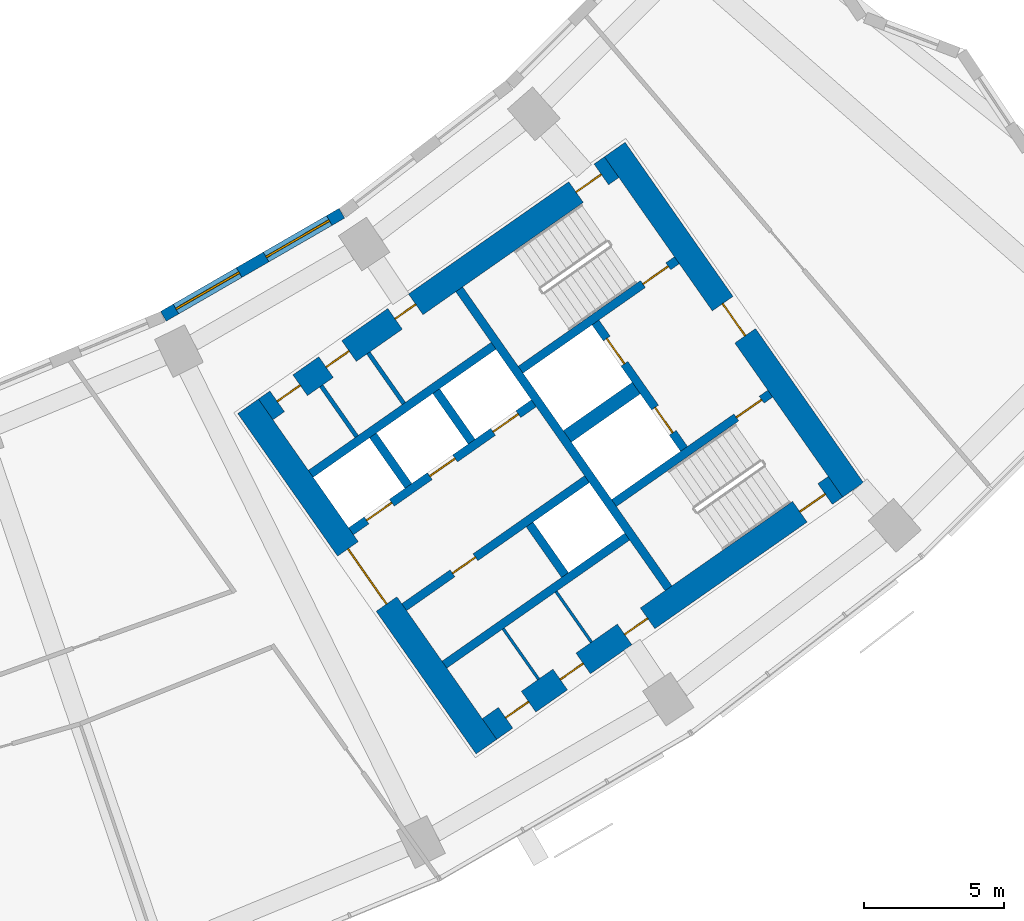
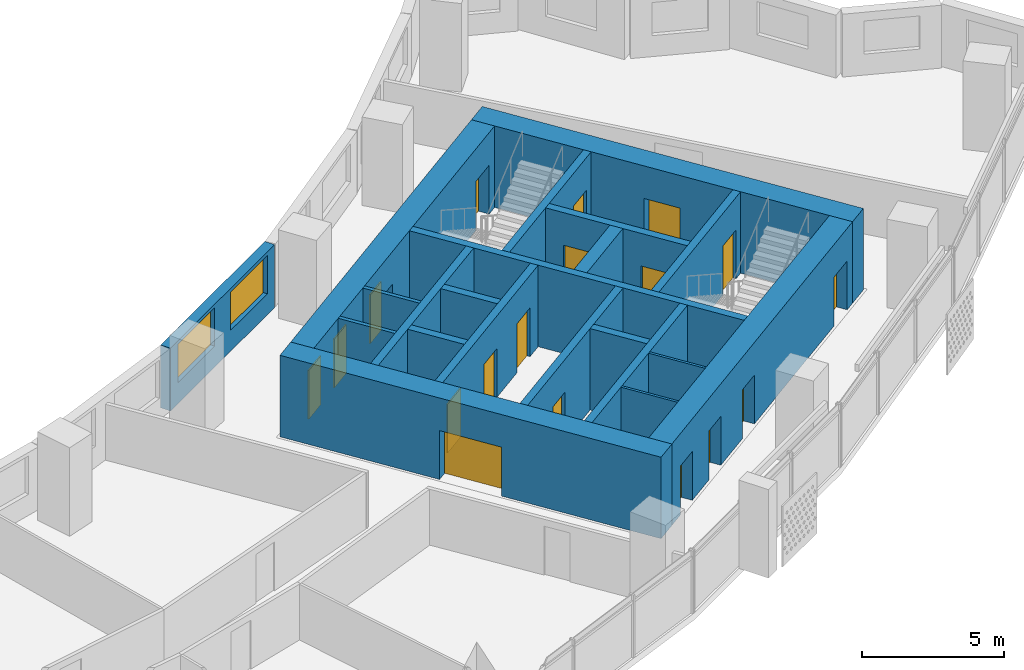
# One storey, part 7 of 29: 21 walls, 18 doors, 2 windows, 20 openings.
"""IFC4 building model written with IfcOpenShell, lengths in metres."""

from ifc_helpers import new_model, si_unit, direction, frame, frame_2d, origin, place, context, subcontext, project, spatial, rectangle, extrude, material, layer, layer_set, type_object, element, fill, save


model = new_model("IFC4")

# Units and contexts
model_context = context("Model", 3, precision=1e-05, world=origin(), true_north=direction((0.0, 1.0)))
body_context = subcontext(model_context, "Body", "Model", "MODEL_VIEW")
ifc_project = project(units=[si_unit("LENGTHUNIT", "METRE"), si_unit("AREAUNIT", "SQUARE_METRE"), si_unit("VOLUMEUNIT", "CUBIC_METRE"), si_unit("PLANEANGLEUNIT", "RADIAN"), si_unit("MASSUNIT", "GRAM", prefix="KILO")], contexts=[model_context])

# Site, building, storey
site_placement = place(None, origin())
site = spatial("IfcSite", under=ifc_project, at=site_placement, CompositionType="ELEMENT")
building_placement = place(site_placement, origin())
building = spatial("IfcBuilding", under=site, at=building_placement, Name="Qamariyya Broadcast Tower", CompositionType="ELEMENT")
storey_placement = place(building_placement, frame((0.0, 0.0, 136.699951171875)))
storey = spatial("IfcBuildingStorey", under=building, at=storey_placement, Name="L31", CompositionType="ELEMENT", Elevation=136.699951171875)

# Wall, opening, door
ifc_material_1 = material(Name="Concrete C70/85", Category="concrete")
ifc_layer_1 = layer(ifc_material_1, 0.89990234375)
ifc_layer_set_1 = layer_set([ifc_layer_1], Name="Core wall 900 mm Concrete C70/85")
wall_type_1 = type_object("IfcWallType", Name="Core wall 900 mm Concrete C70/85", PredefinedType="SHEAR", material=ifc_layer_set_1)
wall_1_placement = place(storey_placement, frame((36.716796875, -66.3369140625, 0.0), z_axis=(0.0, 0.0, 1.0), x_axis=(-0.573577477574, 0.819151315216, 0.0)))
wall_1 = element("IfcWall", 1, at=wall_1_placement, inside=storey, type_object=wall_type_1, Name="k-E-L31-WA", PredefinedType="SHEAR", context=body_context, shape_type="SweptSolid", body=[
    extrude(rectangle(XDim=14.800048828125, YDim=0.89990234375, at=frame_2d((7.39990234375, 0.0))), origin(), (0.0, 0.0, 1.0), 3.5),
])
opening_1_placement = place(wall_1_placement, frame((6.199951171875, 0.0, 0.0)))
opening_1 = element("IfcOpeningElement", 2, at=opening_1_placement, cuts=wall_1, Name="Opening KD3-E1", PredefinedType="OPENING", context=body_context, shape_type="SweptSolid", body=[
    extrude(rectangle(XDim=2.39990234375, YDim=2.10009765625, at=frame_2d((1.199951171875, 1.050048828125))), frame((0.0, 0.4599609375, 0.0), z_axis=(0.0, -1.0, 0.0), x_axis=(1.0, 0.0, 0.0)), (0.0, 0.0, 1.0), 0.919921875),
])
ifc_material_2 = material(Name="Steel fire-resisting door leaf", Category="steel")
door_type_1 = type_object("IfcDoorType", Name="Lift lobby door KD3", OperationType="DOUBLE_DOOR_SINGLE_SWING", PredefinedType="DOOR", material=ifc_material_2)
door_1_placement = place(opening_1_placement, origin())
door_1 = element("IfcDoor", 3, at=door_1_placement, inside=storey, type_object=door_type_1, Name="k-E-L31-WA-D1", OperationType="DOUBLE_DOOR_SINGLE_SWING", OverallHeight=2.10009765625, OverallWidth=2.39990234375, PredefinedType="DOOR", context=body_context, shape_type="SweptSolid", body=[
    extrude(rectangle(XDim=2.39990234375, YDim=2.10009765625, at=frame_2d((1.199951171875, 1.050048828125))), frame((0.0, 0.02490234375, 0.0), z_axis=(0.0, -1.0, 0.0), x_axis=(1.0, 0.0, 0.0)), (0.0, 0.0, 1.0), 0.050048828125),
])
fill(opening_1, door_1)

wall_2_placement = place(storey_placement, frame((49.778564453125, -57.191162109375, 0.0), z_axis=(0.0, 0.0, 1.0), x_axis=(-0.573577477574, 0.819151315216, 0.0)))
wall_2 = element("IfcWall", 4, at=wall_2_placement, inside=storey, type_object=wall_type_1, Name="k-E-L31-WH", PredefinedType="SHEAR", context=body_context, shape_type="SweptSolid", body=[
    extrude(rectangle(XDim=14.800048828125, YDim=0.89990234375, at=frame_2d((7.39990234375, 0.0))), origin(), (0.0, 0.0, 1.0), 3.5),
])
opening_2_placement = place(wall_2_placement, frame((6.699951171875, 0.0, 0.0)))
opening_2 = element("IfcOpeningElement", 5, at=opening_2_placement, cuts=wall_2, Name="Opening KD2-E1", PredefinedType="OPENING", context=body_context, shape_type="SweptSolid", body=[
    extrude(rectangle(XDim=1.39990234375, YDim=2.10009765625, at=frame_2d((0.699951171875, 1.050048828125))), frame((0.0, 0.4599609375, 0.0), z_axis=(0.0, -1.0, 0.0), x_axis=(1.0, 0.0, 0.0)), (0.0, 0.0, 1.0), 0.919921875),
])
door_type_2 = type_object("IfcDoorType", Name="Fire-fighting lobby door KD2", OperationType="DOUBLE_DOOR_SINGLE_SWING", PredefinedType="DOOR", material=ifc_material_2)
door_2_placement = place(opening_2_placement, origin())
door_2 = element("IfcDoor", 6, at=door_2_placement, inside=storey, type_object=door_type_2, Name="k-E-L31-WH-D14", OperationType="DOUBLE_DOOR_SINGLE_SWING", OverallHeight=2.10009765625, OverallWidth=1.39990234375, PredefinedType="DOOR", context=body_context, shape_type="SweptSolid", body=[
    extrude(rectangle(XDim=1.39990234375, YDim=2.10009765625, at=frame_2d((0.699951171875, 1.050048828125))), frame((0.0, 0.02490234375, 0.0), z_axis=(0.0, -1.0, 0.0), x_axis=(1.0, 0.0, 0.0)), (0.0, 0.0, 1.0), 0.050048828125),
])
fill(opening_2, door_2)

# Wall, openings, doors
wall_3_placement = place(storey_placement, frame((28.8544921875, -54.32421875, 0.0), z_axis=(0.0, 0.0, 1.0), x_axis=(0.819145767589, 0.573585400304, 0.0)))
wall_3 = element("IfcWall", 7, at=wall_3_placement, inside=storey, type_object=wall_type_1, Name="k-E-L31-WI", PredefinedType="SHEAR", context=body_context, shape_type="SweptSolid", body=[
    extrude(rectangle(XDim=15.04541015625, YDim=0.89990234375, at=frame_2d((7.522705078125, 0.0))), origin(), (0.0, 0.0, 1.0), 3.5),
])
opening_3_placement = place(wall_3_placement, frame((0.5, 0.0, 0.0)))
opening_3 = element("IfcOpeningElement", 8, at=opening_3_placement, cuts=wall_3, Name="Opening KD6-E2", PredefinedType="OPENING", context=body_context, shape_type="SweptSolid", body=[
    extrude(rectangle(XDim=1.0, YDim=2.10009765625, at=frame_2d((0.5, 1.050048828125))), frame((0.0, 0.4599609375, 0.0), z_axis=(0.0, -1.0, 0.0), x_axis=(1.0, 0.0, 0.0)), (0.0, 0.0, 1.0), 0.919921875),
])
opening_4_placement = place(wall_3_placement, frame((2.625, 0.0, 0.0)))
opening_4 = element("IfcOpeningElement", 9, at=opening_4_placement, cuts=wall_3, Name="Opening KD7-E1", PredefinedType="OPENING", context=body_context, shape_type="SweptSolid", body=[
    extrude(rectangle(XDim=1.0, YDim=2.10009765625, at=frame_2d((0.5, 1.050048828125))), frame((0.0, 0.4599609375, 0.0), z_axis=(0.0, -1.0, 0.0), x_axis=(1.0, 0.0, 0.0)), (0.0, 0.0, 1.0), 0.919921875),
])
opening_5_placement = place(wall_3_placement, frame((5.625, 0.0, 0.0)))
opening_5 = element("IfcOpeningElement", 10, at=opening_5_placement, cuts=wall_3, Name="Opening KD5-E1", PredefinedType="OPENING", context=body_context, shape_type="SweptSolid", body=[
    extrude(rectangle(XDim=0.89990234375, YDim=2.10009765625, at=frame_2d((0.449951171875, 1.050048828125))), frame((0.0, 0.4599609375, 0.0), z_axis=(0.0, -1.0, 0.0), x_axis=(1.0, 0.0, 0.0)), (0.0, 0.0, 1.0), 0.919921875),
])
opening_6_placement = place(wall_3_placement, frame((13.495361328125, 0.0, 0.0)))
opening_6 = element("IfcOpeningElement", 11, at=opening_6_placement, cuts=wall_3, Name="Opening KD1-E1", PredefinedType="OPENING", context=body_context, shape_type="SweptSolid", body=[
    extrude(rectangle(XDim=1.10009765625, YDim=2.10009765625, at=frame_2d((0.550048828125, 1.050048828125))), frame((0.0, 0.4599609375, 0.0), z_axis=(0.0, -1.0, 0.0), x_axis=(1.0, 0.0, 0.0)), (0.0, 0.0, 1.0), 0.919921875),
])
door_type_3 = type_object("IfcDoorType", Name="Accessible toilet door KD7", OperationType="SINGLE_SWING_LEFT", PredefinedType="DOOR", material=ifc_material_2)
door_3_placement = place(opening_4_placement, origin())
door_3 = element("IfcDoor", 12, at=door_3_placement, inside=storey, type_object=door_type_3, Name="k-E-L31-WI-D7", OperationType="SINGLE_SWING_LEFT", OverallHeight=2.10009765625, OverallWidth=1.0, PredefinedType="DOOR", context=body_context, shape_type="SweptSolid", body=[
    extrude(rectangle(XDim=1.0, YDim=2.10009765625, at=frame_2d((0.5, 1.050048828125))), frame((0.0, 0.02490234375, 0.0), z_axis=(0.0, -1.0, 0.0), x_axis=(1.0, 0.0, 0.0)), (0.0, 0.0, 1.0), 0.050048828125),
])
fill(opening_4, door_3)
door_type_4 = type_object("IfcDoorType", Name="Core room door KD6", OperationType="SINGLE_SWING_LEFT", PredefinedType="DOOR", material=ifc_material_2)
door_4_placement = place(opening_3_placement, origin())
door_4 = element("IfcDoor", 13, at=door_4_placement, inside=storey, type_object=door_type_4, Name="k-E-L31-WI-D6", OperationType="SINGLE_SWING_RIGHT", OverallHeight=2.10009765625, OverallWidth=1.0, PredefinedType="DOOR", context=body_context, shape_type="SweptSolid", body=[
    extrude(rectangle(XDim=1.0, YDim=2.10009765625, at=frame_2d((0.5, 1.050048828125))), frame((0.0, 0.02490234375, 0.0), z_axis=(0.0, -1.0, 0.0), x_axis=(1.0, 0.0, 0.0)), (0.0, 0.0, 1.0), 0.050048828125),
])
fill(opening_3, door_4)
door_type_5 = type_object("IfcDoorType", Name="Stair door KD1", OperationType="SINGLE_SWING_LEFT", PredefinedType="DOOR", material=ifc_material_2)
door_5_placement = place(opening_6_placement, origin())
door_5 = element("IfcDoor", 14, at=door_5_placement, inside=storey, type_object=door_type_5, Name="k-E-L31-WI-D15", OperationType="SINGLE_SWING_RIGHT", OverallHeight=2.10009765625, OverallWidth=1.10009765625, PredefinedType="DOOR", context=body_context, shape_type="SweptSolid", body=[
    extrude(rectangle(XDim=1.10009765625, YDim=2.10009765625, at=frame_2d((0.550048828125, 1.050048828125))), frame((0.0, 0.02490234375, 0.0), z_axis=(0.0, -1.0, 0.0), x_axis=(1.0, 0.0, 0.0)), (0.0, 0.0, 1.0), 0.050048828125),
])
fill(opening_6, door_5)
door_type_6 = type_object("IfcDoorType", Name="Toilet door KD5", OperationType="SINGLE_SWING_LEFT", PredefinedType="DOOR", material=ifc_material_2)
door_6_placement = place(opening_5_placement, origin())
door_6 = element("IfcDoor", 15, at=door_6_placement, inside=storey, type_object=door_type_6, Name="k-E-L31-WI-D8", OperationType="SINGLE_SWING_RIGHT", OverallHeight=2.10009765625, OverallWidth=0.89990234375, PredefinedType="DOOR", context=body_context, shape_type="SweptSolid", body=[
    extrude(rectangle(XDim=0.89990234375, YDim=2.10009765625, at=frame_2d((0.449951171875, 1.050048828125))), frame((0.0, 0.02490234375, 0.0), z_axis=(0.0, -1.0, 0.0), x_axis=(1.0, 0.0, 0.0)), (0.0, 0.0, 1.0), 0.050048828125),
])
fill(opening_5, door_6)

wall_4_placement = place(storey_placement, frame((36.827392578125, -65.710205078125, 0.0), z_axis=(0.0, 0.0, 1.0), x_axis=(0.819153391756, 0.573574511963, 0.0)))
wall_4 = element("IfcWall", 16, at=wall_4_placement, inside=storey, type_object=wall_type_1, Name="k-E-L31-WO", PredefinedType="SHEAR", context=body_context, shape_type="SweptSolid", body=[
    extrude(rectangle(XDim=15.04541015625, YDim=0.89990234375, at=frame_2d((7.522705078125, 0.0))), origin(), (0.0, 0.0, 1.0), 3.5),
])
opening_7_placement = place(wall_4_placement, frame((0.699951171875, 0.0, 0.0)))
opening_7 = element("IfcOpeningElement", 17, at=opening_7_placement, cuts=wall_4, Name="Opening KD6-E3", PredefinedType="OPENING", context=body_context, shape_type="SweptSolid", body=[
    extrude(rectangle(XDim=1.0, YDim=2.10009765625, at=frame_2d((0.5, 1.050048828125))), frame((0.0, 0.4599609375, 0.0), z_axis=(0.0, -1.0, 0.0), x_axis=(1.0, 0.0, 0.0)), (0.0, 0.0, 1.0), 0.919921875),
])
opening_8_placement = place(wall_4_placement, frame((3.074951171875, 0.0, 0.0)))
opening_8 = element("IfcOpeningElement", 18, at=opening_8_placement, cuts=wall_4, Name="Opening KD4-E1", PredefinedType="OPENING", context=body_context, shape_type="SweptSolid", body=[
    extrude(rectangle(XDim=1.0, YDim=2.10009765625, at=frame_2d((0.5, 1.050048828125))), frame((0.0, 0.4599609375, 0.0), z_axis=(0.0, -1.0, 0.0), x_axis=(1.0, 0.0, 0.0)), (0.0, 0.0, 1.0), 0.919921875),
])
opening_9_placement = place(wall_4_placement, frame((5.875, 0.0, 0.0)))
opening_9 = element("IfcOpeningElement", 19, at=opening_9_placement, cuts=wall_4, Name="Opening KD4-E2", PredefinedType="OPENING", context=body_context, shape_type="SweptSolid", body=[
    extrude(rectangle(XDim=1.0, YDim=2.10009765625, at=frame_2d((0.5, 1.050048828125))), frame((0.0, 0.4599609375, 0.0), z_axis=(0.0, -1.0, 0.0), x_axis=(1.0, 0.0, 0.0)), (0.0, 0.0, 1.0), 0.919921875),
])
opening_10_placement = place(wall_4_placement, frame((13.495361328125, 0.0, 0.0)))
opening_10 = element("IfcOpeningElement", 20, at=opening_10_placement, cuts=wall_4, Name="Opening KD1-E3", PredefinedType="OPENING", context=body_context, shape_type="SweptSolid", body=[
    extrude(rectangle(XDim=1.10009765625, YDim=2.10009765625, at=frame_2d((0.550048828125, 1.050048828125))), frame((0.0, 0.4599609375, 0.0), z_axis=(0.0, -1.0, 0.0), x_axis=(1.0, 0.0, 0.0)), (0.0, 0.0, 1.0), 0.919921875),
])
door_7_placement = place(opening_7_placement, origin())
door_7 = element("IfcDoor", 21, at=door_7_placement, inside=storey, type_object=door_type_4, Name="k-E-L31-WO-D9", OperationType="SINGLE_SWING_LEFT", OverallHeight=2.10009765625, OverallWidth=1.0, PredefinedType="DOOR", context=body_context, shape_type="SweptSolid", body=[
    extrude(rectangle(XDim=1.0, YDim=2.10009765625, at=frame_2d((0.5, 1.050048828125))), frame((0.0, 0.02490234375, 0.0), z_axis=(0.0, -1.0, 0.0), x_axis=(1.0, 0.0, 0.0)), (0.0, 0.0, 1.0), 0.050048828125),
])
fill(opening_7, door_7)
door_type_7 = type_object("IfcDoorType", Name="Riser and plant door KD4", OperationType="SINGLE_SWING_LEFT", PredefinedType="DOOR", material=ifc_material_2)
door_8_placement = place(opening_8_placement, origin())
door_8 = element("IfcDoor", 22, at=door_8_placement, inside=storey, type_object=door_type_7, Name="k-E-L31-WO-D10", OperationType="SINGLE_SWING_RIGHT", OverallHeight=2.10009765625, OverallWidth=1.0, PredefinedType="DOOR", context=body_context, shape_type="SweptSolid", body=[
    extrude(rectangle(XDim=1.0, YDim=2.10009765625, at=frame_2d((0.5, 1.050048828125))), frame((0.0, 0.02490234375, 0.0), z_axis=(0.0, -1.0, 0.0), x_axis=(1.0, 0.0, 0.0)), (0.0, 0.0, 1.0), 0.050048828125),
])
fill(opening_8, door_8)
door_9_placement = place(opening_9_placement, origin())
door_9 = element("IfcDoor", 23, at=door_9_placement, inside=storey, type_object=door_type_7, Name="k-E-L31-WO-D11", OperationType="SINGLE_SWING_LEFT", OverallHeight=2.10009765625, OverallWidth=1.0, PredefinedType="DOOR", context=body_context, shape_type="SweptSolid", body=[
    extrude(rectangle(XDim=1.0, YDim=2.10009765625, at=frame_2d((0.5, 1.050048828125))), frame((0.0, 0.02490234375, 0.0), z_axis=(0.0, -1.0, 0.0), x_axis=(1.0, 0.0, 0.0)), (0.0, 0.0, 1.0), 0.050048828125),
])
fill(opening_9, door_9)
door_10_placement = place(opening_10_placement, origin())
door_10 = element("IfcDoor", 24, at=door_10_placement, inside=storey, type_object=door_type_5, Name="k-E-L31-WO-D17", OperationType="SINGLE_SWING_LEFT", OverallHeight=2.10009765625, OverallWidth=1.10009765625, PredefinedType="DOOR", context=body_context, shape_type="SweptSolid", body=[
    extrude(rectangle(XDim=1.10009765625, YDim=2.10009765625, at=frame_2d((0.550048828125, 1.050048828125))), frame((0.0, 0.02490234375, 0.0), z_axis=(0.0, -1.0, 0.0), x_axis=(1.0, 0.0, 0.0)), (0.0, 0.0, 1.0), 0.050048828125),
])
fill(opening_10, door_10)

# Walls
ifc_material_3 = material(Name="Concrete C60/75", Category="concrete")
ifc_layer_2 = layer(ifc_material_3, 0.5)
ifc_layer_set_2 = layer_set([ifc_layer_2], Name="Fire-fighting lobby divider wall 500 mm Concrete C60/75")
wall_type_2 = type_object("IfcWallType", Name="Fire-fighting lobby divider wall 500 mm Concrete C60/75", PredefinedType="SOLIDWALL", material=ifc_layer_set_2)
wall_5_placement = place(storey_placement, frame((39.59912109375, -55.28515625, 0.0), z_axis=(0.0, 0.0, 1.0), x_axis=(0.819136323161, 0.573598887793, 0.0)))
element("IfcWall", 25, at=wall_5_placement, inside=storey, type_object=wall_type_2, Name="k-E-L31-FD", PredefinedType="SOLIDWALL", context=body_context, shape_type="SweptSolid", body=[
    extrude(rectangle(XDim=2.999755859375, YDim=0.5, at=frame_2d((1.5, 0.0))), origin(), (0.0, 0.0, 1.0), 3.5),
])
ifc_material_4 = material(Name="Gypsum board partition on steel studs", Category="steel")
ifc_layer_3 = layer(ifc_material_4, 0.14990234375)
ifc_layer_set_3 = layer_set([ifc_layer_3], Name="Gypsum board partition 150 mm")
wall_type_3 = type_object("IfcWallType", Name="Gypsum board partition 150 mm", PredefinedType="PARTITIONING", material=ifc_layer_set_3)
wall_6_placement = place(storey_placement, frame((32.0947265625, -55.290283203125, 0.0), z_axis=(0.0, 0.0, 1.0), x_axis=(-0.573559170999, 0.819164133348, 0.0)))
element("IfcWall", 26, at=wall_6_placement, inside=storey, type_object=wall_type_3, Name="k-E-L31-NP210", PredefinedType="PARTITIONING", context=body_context, shape_type="SweptSolid", body=[
    extrude(rectangle(XDim=2.19970703125, YDim=0.14990234375, at=frame_2d((1.099853515625, 0.0))), origin(), (0.0, 0.0, 1.0), 3.5),
])
wall_7_placement = place(storey_placement, frame((33.774169921875, -54.114501953125, 0.0), z_axis=(0.0, 0.0, 1.0), x_axis=(-0.573581496053, 0.819148501424, 0.0)))
element("IfcWall", 27, at=wall_7_placement, inside=storey, type_object=wall_type_3, Name="k-E-L31-NP415", PredefinedType="PARTITIONING", context=body_context, shape_type="SweptSolid", body=[
    extrude(rectangle(XDim=2.2001953125, YDim=0.14990234375, at=frame_2d((1.10009765625, 0.0))), origin(), (0.0, 0.0, 1.0), 3.5),
])
ifc_layer_4 = layer(ifc_material_3, 0.300048828125)
ifc_layer_set_4 = layer_set([ifc_layer_4], Name="Lift shaft wall 300 mm Concrete C60/75")
wall_type_4 = type_object("IfcWallType", Name="Lift shaft wall 300 mm Concrete C60/75", PredefinedType="SOLIDWALL", material=ifc_layer_set_4)
wall_8_placement = place(storey_placement, frame((43.204345703125, -60.69580078125, 0.0), z_axis=(0.0, 0.0, 1.0), x_axis=(-0.573571992966, 0.819155155563, 0.0)))
element("IfcWall", 28, at=wall_8_placement, inside=storey, type_object=wall_type_4, Name="k-E-L31-WL", PredefinedType="SOLIDWALL", context=body_context, shape_type="SweptSolid", body=[
    extrude(rectangle(XDim=13.000244140625, YDim=0.300048828125, at=frame_2d((6.5, 0.0))), origin(), (0.0, 0.0, 1.0), 3.5),
])

# Wall, openings, doors
wall_9_placement = place(storey_placement, frame((31.89453125, -58.66552734375, 0.0), z_axis=(0.0, 0.0, 1.0), x_axis=(0.819166993208, 0.573555086491, 0.0)))
wall_9 = element("IfcWall", 29, at=wall_9_placement, inside=storey, type_object=wall_type_4, Name="k-E-L31-NF0", PredefinedType="SOLIDWALL", context=body_context, shape_type="SweptSolid", body=[
    extrude(rectangle(XDim=7.9501953125, YDim=0.300048828125, at=frame_2d((3.97509765625, 0.0))), origin(), (0.0, 0.0, 1.0), 3.5),
])
opening_11_placement = place(wall_9_placement, frame((0.675048828125, 0.0, 0.0)))
opening_11 = element("IfcOpeningElement", 30, at=opening_11_placement, cuts=wall_9, Name="Opening LD", PredefinedType="OPENING", context=body_context, shape_type="SweptSolid", body=[
    extrude(rectangle(XDim=1.10009765625, YDim=2.10009765625, at=frame_2d((0.550048828125, 1.050048828125))), frame((0.0, 0.159912109375, 0.0), z_axis=(0.0, -1.0, 0.0), x_axis=(1.0, 0.0, 0.0)), (0.0, 0.0, 1.0), 0.320068359375),
])
opening_12_placement = place(wall_9_placement, frame((3.425048828125, 0.0, 0.0)))
opening_12 = element("IfcOpeningElement", 31, at=opening_12_placement, cuts=wall_9, Name="Opening LD", PredefinedType="OPENING", context=body_context, shape_type="SweptSolid", body=[
    extrude(rectangle(XDim=1.10009765625, YDim=2.10009765625, at=frame_2d((0.550048828125, 1.050048828125))), frame((0.0, 0.159912109375, 0.0), z_axis=(0.0, -1.0, 0.0), x_axis=(1.0, 0.0, 0.0)), (0.0, 0.0, 1.0), 0.320068359375),
])
opening_13_placement = place(wall_9_placement, frame((6.175048828125, 0.0, 0.0)))
opening_13 = element("IfcOpeningElement", 32, at=opening_13_placement, cuts=wall_9, Name="Opening LD", PredefinedType="OPENING", context=body_context, shape_type="SweptSolid", body=[
    extrude(rectangle(XDim=1.10009765625, YDim=2.10009765625, at=frame_2d((0.550048828125, 1.050048828125))), frame((0.0, 0.159912109375, 0.0), z_axis=(0.0, -1.0, 0.0), x_axis=(1.0, 0.0, 0.0)), (0.0, 0.0, 1.0), 0.320068359375),
])
door_type_8 = type_object("IfcDoorType", Name="Lift landing door LD", OperationType="DOUBLE_DOOR_SLIDING", PredefinedType="DOOR", material=ifc_material_2)
door_11_placement = place(opening_11_placement, origin())
door_11 = element("IfcDoor", 33, at=door_11_placement, inside=storey, type_object=door_type_8, Name="k-E-L31-NF0-D2", OperationType="DOUBLE_DOOR_SLIDING", OverallHeight=2.10009765625, OverallWidth=1.10009765625, PredefinedType="DOOR", context=body_context, shape_type="SweptSolid", body=[
    extrude(rectangle(XDim=1.10009765625, YDim=2.10009765625, at=frame_2d((0.550048828125, 1.050048828125))), frame((0.0, 0.02490234375, 0.0), z_axis=(0.0, -1.0, 0.0), x_axis=(1.0, 0.0, 0.0)), (0.0, 0.0, 1.0), 0.050048828125),
])
fill(opening_11, door_11)
door_12_placement = place(opening_12_placement, origin())
door_12 = element("IfcDoor", 34, at=door_12_placement, inside=storey, type_object=door_type_8, Name="k-E-L31-NF0-D3", OperationType="DOUBLE_DOOR_SLIDING", OverallHeight=2.10009765625, OverallWidth=1.10009765625, PredefinedType="DOOR", context=body_context, shape_type="SweptSolid", body=[
    extrude(rectangle(XDim=1.10009765625, YDim=2.10009765625, at=frame_2d((0.550048828125, 1.050048828125))), frame((0.0, 0.02490234375, 0.0), z_axis=(0.0, -1.0, 0.0), x_axis=(1.0, 0.0, 0.0)), (0.0, 0.0, 1.0), 0.050048828125),
])
fill(opening_12, door_12)
door_13_placement = place(opening_13_placement, origin())
door_13 = element("IfcDoor", 35, at=door_13_placement, inside=storey, type_object=door_type_8, Name="k-E-L31-NF0-D4", OperationType="DOUBLE_DOOR_SLIDING", OverallHeight=2.10009765625, OverallWidth=1.10009765625, PredefinedType="DOOR", context=body_context, shape_type="SweptSolid", body=[
    extrude(rectangle(XDim=1.10009765625, YDim=2.10009765625, at=frame_2d((0.550048828125, 1.050048828125))), frame((0.0, 0.02490234375, 0.0), z_axis=(0.0, -1.0, 0.0), x_axis=(1.0, 0.0, 0.0)), (0.0, 0.0, 1.0), 0.050048828125),
])
fill(opening_13, door_13)

# Walls
wall_10_placement = place(storey_placement, frame((30.460693359375, -56.61767578125, 0.0), z_axis=(0.0, 0.0, 1.0), x_axis=(0.819142461705, 0.573590121456, 0.0)))
element("IfcWall", 36, at=wall_10_placement, inside=storey, type_object=wall_type_4, Name="k-E-L31-NB0", PredefinedType="SOLIDWALL", context=body_context, shape_type="SweptSolid", body=[
    extrude(rectangle(XDim=7.949951171875, YDim=0.300048828125, at=frame_2d((3.97509765625, 0.0))), origin(), (0.0, 0.0, 1.0), 3.5),
])
wall_11_placement = place(storey_placement, frame((33.9384765625, -57.051513671875, 0.0), z_axis=(0.0, 0.0, 1.0), x_axis=(-0.573581496053, 0.819148501424, 0.0)))
element("IfcWall", 37, at=wall_11_placement, inside=storey, type_object=wall_type_4, Name="k-E-L31-ND0", PredefinedType="SOLIDWALL", context=body_context, shape_type="SweptSolid", body=[
    extrude(rectangle(XDim=2.2001953125, YDim=0.300048828125, at=frame_2d((1.10009765625, 0.0))), origin(), (0.0, 0.0, 1.0), 3.5),
])
wall_12_placement = place(storey_placement, frame((36.19091796875, -55.47412109375, 0.0), z_axis=(0.0, 0.0, 1.0), x_axis=(-0.573507030513, 0.819200638399, 0.0)))
element("IfcWall", 38, at=wall_12_placement, inside=storey, type_object=wall_type_4, Name="k-E-L31-ND1", PredefinedType="SOLIDWALL", context=body_context, shape_type="SweptSolid", body=[
    extrude(rectangle(XDim=2.199951171875, YDim=0.300048828125, at=frame_2d((1.10009765625, 0.0))), origin(), (0.0, 0.0, 1.0), 3.5),
])

# Wall, opening, door
wall_13_placement = place(storey_placement, frame((33.787353515625, -61.368896484375, 0.0), z_axis=(0.0, 0.0, 1.0), x_axis=(0.819152564888, 0.573575692858, 0.0)))
wall_13 = element("IfcWall", 39, at=wall_13_placement, inside=storey, type_object=wall_type_4, Name="k-E-L31-SF0", PredefinedType="SOLIDWALL", context=body_context, shape_type="SweptSolid", body=[
    extrude(rectangle(XDim=7.9501953125, YDim=0.300048828125, at=frame_2d((3.97509765625, 0.0))), origin(), (0.0, 0.0, 1.0), 3.5),
])
opening_14_placement = place(wall_13_placement, frame((2.10009765625, 0.0, 0.0)))
opening_14 = element("IfcOpeningElement", 40, at=opening_14_placement, cuts=wall_13, Name="Opening KD6-E1", PredefinedType="OPENING", context=body_context, shape_type="SweptSolid", body=[
    extrude(rectangle(XDim=1.0, YDim=2.10009765625, at=frame_2d((0.5, 1.050048828125))), frame((0.0, 0.159912109375, 0.0), z_axis=(0.0, -1.0, 0.0), x_axis=(1.0, 0.0, 0.0)), (0.0, 0.0, 1.0), 0.320068359375),
])
door_14_placement = place(opening_14_placement, origin())
door_14 = element("IfcDoor", 41, at=door_14_placement, inside=storey, type_object=door_type_4, Name="k-E-L31-SF0-D5", OperationType="SINGLE_SWING_LEFT", OverallHeight=2.10009765625, OverallWidth=1.0, PredefinedType="DOOR", context=body_context, shape_type="SweptSolid", body=[
    extrude(rectangle(XDim=1.0, YDim=2.10009765625, at=frame_2d((0.5, 1.050048828125))), frame((0.0, 0.02490234375, 0.0), z_axis=(0.0, -1.0, 0.0), x_axis=(1.0, 0.0, 0.0)), (0.0, 0.0, 1.0), 0.050048828125),
])
fill(opening_14, door_14)

# Walls
wall_14_placement = place(storey_placement, frame((35.22119140625, -63.41650390625, 0.0), z_axis=(0.0, 0.0, 1.0), x_axis=(0.819166993208, 0.573555086491, 0.0)))
element("IfcWall", 42, at=wall_14_placement, inside=storey, type_object=wall_type_4, Name="k-E-L31-SB0", PredefinedType="SOLIDWALL", context=body_context, shape_type="SweptSolid", body=[
    extrude(rectangle(XDim=7.9501953125, YDim=0.300048828125, at=frame_2d((3.97509765625, 0.0))), origin(), (0.0, 0.0, 1.0), 3.5),
])
wall_15_placement = place(storey_placement, frame((38.255859375, -58.423095703125, 0.0), z_axis=(0.0, 0.0, 1.0), x_axis=(0.573633636671, -0.819111989218, 0.0)))
element("IfcWall", 43, at=wall_15_placement, inside=storey, type_object=wall_type_4, Name="k-E-L31-SD1", PredefinedType="SOLIDWALL", context=body_context, shape_type="SweptSolid", body=[
    extrude(rectangle(XDim=2.199951171875, YDim=0.300048828125, at=frame_2d((1.10009765625, 0.0))), origin(), (0.0, 0.0, 1.0), 3.5),
])

# Wall, opening, door
wall_16_placement = place(storey_placement, frame((37.935546875, -52.90966796875, 0.0), z_axis=(0.0, 0.0, 1.0), x_axis=(0.819147518138, 0.57358290031, 0.0)))
wall_16 = element("IfcWall", 44, at=wall_16_placement, inside=storey, type_object=wall_type_4, Name="k-E-L31-NW", PredefinedType="SOLIDWALL", context=body_context, shape_type="SweptSolid", body=[
    extrude(rectangle(XDim=6.79541015625, YDim=0.300048828125, at=frame_2d((3.397705078125, 0.0))), origin(), (0.0, 0.0, 1.0), 3.5),
])
opening_15_placement = place(wall_16_placement, frame((5.3203125, 0.0, 0.0)))
opening_15 = element("IfcOpeningElement", 45, at=opening_15_placement, cuts=wall_16, Name="Opening KD1-E2", PredefinedType="OPENING", context=body_context, shape_type="SweptSolid", body=[
    extrude(rectangle(XDim=1.10009765625, YDim=2.10009765625, at=frame_2d((0.550048828125, 1.050048828125))), frame((0.0, 0.159912109375, 0.0), z_axis=(0.0, -1.0, 0.0), x_axis=(1.0, 0.0, 0.0)), (0.0, 0.0, 1.0), 0.320068359375),
])
door_15_placement = place(opening_15_placement, origin())
door_15 = element("IfcDoor", 46, at=door_15_placement, inside=storey, type_object=door_type_5, Name="k-E-L31-NW-D16", OperationType="SINGLE_SWING_RIGHT", OverallHeight=2.10009765625, OverallWidth=1.10009765625, PredefinedType="DOOR", context=body_context, shape_type="SweptSolid", body=[
    extrude(rectangle(XDim=1.10009765625, YDim=2.10009765625, at=frame_2d((0.550048828125, 1.050048828125))), frame((0.0, 0.02490234375, 0.0), z_axis=(0.0, -1.0, 0.0), x_axis=(1.0, 0.0, 0.0)), (0.0, 0.0, 1.0), 0.050048828125),
])
fill(opening_15, door_15)

wall_17_placement = place(storey_placement, frame((41.262451171875, -57.66064453125, 0.0), z_axis=(0.0, 0.0, 1.0), x_axis=(0.819164398642, 0.573558792102, 0.0)))
wall_17 = element("IfcWall", 47, at=wall_17_placement, inside=storey, type_object=wall_type_4, Name="k-E-L31-SW", PredefinedType="SOLIDWALL", context=body_context, shape_type="SweptSolid", body=[
    extrude(rectangle(XDim=6.795166015625, YDim=0.300048828125, at=frame_2d((3.3974609375, 0.0))), origin(), (0.0, 0.0, 1.0), 3.5),
])
opening_16_placement = place(wall_17_placement, frame((5.3203125, 0.0, 0.0)))
opening_16 = element("IfcOpeningElement", 48, at=opening_16_placement, cuts=wall_17, Name="Opening KD1-E4", PredefinedType="OPENING", context=body_context, shape_type="SweptSolid", body=[
    extrude(rectangle(XDim=1.10009765625, YDim=2.10009765625, at=frame_2d((0.550048828125, 1.050048828125))), frame((0.0, 0.159912109375, 0.0), z_axis=(0.0, -1.0, 0.0), x_axis=(1.0, 0.0, 0.0)), (0.0, 0.0, 1.0), 0.320068359375),
])
door_16_placement = place(opening_16_placement, origin())
door_16 = element("IfcDoor", 49, at=door_16_placement, inside=storey, type_object=door_type_5, Name="k-E-L31-SW-D18", OperationType="SINGLE_SWING_RIGHT", OverallHeight=2.10009765625, OverallWidth=1.10009765625, PredefinedType="DOOR", context=body_context, shape_type="SweptSolid", body=[
    extrude(rectangle(XDim=1.10009765625, YDim=2.10009765625, at=frame_2d((0.550048828125, 1.050048828125))), frame((0.0, 0.02490234375, 0.0), z_axis=(0.0, -1.0, 0.0), x_axis=(1.0, 0.0, 0.0)), (0.0, 0.0, 1.0), 0.050048828125),
])
fill(opening_16, door_16)

# Wall, openings, doors
wall_18_placement = place(storey_placement, frame((43.756591796875, -55.731201171875, 0.0), z_axis=(0.0, 0.0, 1.0), x_axis=(-0.573536818435, 0.819179783625, 0.0)))
wall_18 = element("IfcWall", 50, at=wall_18_placement, inside=storey, type_object=wall_type_4, Name="k-E-L31-FF", PredefinedType="SOLIDWALL", context=body_context, shape_type="SweptSolid", body=[
    extrude(rectangle(XDim=5.500244140625, YDim=0.300048828125, at=frame_2d((2.75, 0.0))), origin(), (0.0, 0.0, 1.0), 3.5),
])
opening_17_placement = place(wall_18_placement, frame((0.699951171875, 0.0, 0.0)))
opening_17 = element("IfcOpeningElement", 51, at=opening_17_placement, cuts=wall_18, Name="Opening LD", PredefinedType="OPENING", context=body_context, shape_type="SweptSolid", body=[
    extrude(rectangle(XDim=1.10009765625, YDim=2.10009765625, at=frame_2d((0.550048828125, 1.050048828125))), frame((0.0, 0.159912109375, 0.0), z_axis=(0.0, -1.0, 0.0), x_axis=(1.0, 0.0, 0.0)), (0.0, 0.0, 1.0), 0.320068359375),
])
opening_18_placement = place(wall_18_placement, frame((3.699951171875, 0.0, 0.0)))
opening_18 = element("IfcOpeningElement", 52, at=opening_18_placement, cuts=wall_18, Name="Opening LD", PredefinedType="OPENING", context=body_context, shape_type="SweptSolid", body=[
    extrude(rectangle(XDim=1.10009765625, YDim=2.10009765625, at=frame_2d((0.550048828125, 1.050048828125))), frame((0.0, 0.159912109375, 0.0), z_axis=(0.0, -1.0, 0.0), x_axis=(1.0, 0.0, 0.0)), (0.0, 0.0, 1.0), 0.320068359375),
])
door_17_placement = place(opening_17_placement, origin())
door_17 = element("IfcDoor", 53, at=door_17_placement, inside=storey, type_object=door_type_8, Name="k-E-L31-FF-D12", OperationType="DOUBLE_DOOR_SLIDING", OverallHeight=2.10009765625, OverallWidth=1.10009765625, PredefinedType="DOOR", context=body_context, shape_type="SweptSolid", body=[
    extrude(rectangle(XDim=1.10009765625, YDim=2.10009765625, at=frame_2d((0.550048828125, 1.050048828125))), frame((0.0, 0.02490234375, 0.0), z_axis=(0.0, -1.0, 0.0), x_axis=(1.0, 0.0, 0.0)), (0.0, 0.0, 1.0), 0.050048828125),
])
fill(opening_17, door_17)
door_18_placement = place(opening_18_placement, origin())
door_18 = element("IfcDoor", 54, at=door_18_placement, inside=storey, type_object=door_type_8, Name="k-E-L31-FF-D13", OperationType="DOUBLE_DOOR_SLIDING", OverallHeight=2.10009765625, OverallWidth=1.10009765625, PredefinedType="DOOR", context=body_context, shape_type="SweptSolid", body=[
    extrude(rectangle(XDim=1.10009765625, YDim=2.10009765625, at=frame_2d((0.550048828125, 1.050048828125))), frame((0.0, 0.02490234375, 0.0), z_axis=(0.0, -1.0, 0.0), x_axis=(1.0, 0.0, 0.0)), (0.0, 0.0, 1.0), 0.050048828125),
])
fill(opening_18, door_18)

# Walls
ifc_material_5 = material(Name="Fire-rated gypsum shaft liner on steel studs", Category="steel")
ifc_layer_5 = layer(ifc_material_5, 0.10009765625)
ifc_layer_set_5 = layer_set([ifc_layer_5], Name="Riser wall 100 mm")
wall_type_5 = type_object("IfcWallType", Name="Riser wall 100 mm", PredefinedType="PLUMBINGWALL", material=ifc_layer_set_5)
wall_19_placement = place(storey_placement, frame((37.314208984375, -62.13427734375, 0.0), z_axis=(0.0, 0.0, 1.0), x_axis=(0.573633636671, -0.819111989218, 0.0)))
element("IfcWall", 55, at=wall_19_placement, inside=storey, type_object=wall_type_5, Name="k-E-L31-SP245", PredefinedType="PLUMBINGWALL", context=body_context, shape_type="SweptSolid", body=[
    extrude(rectangle(XDim=2.199951171875, YDim=0.10009765625, at=frame_2d((1.10009765625, 0.0))), origin(), (0.0, 0.0, 1.0), 3.5),
])
wall_20_placement = place(storey_placement, frame((39.1982421875, -60.81494140625, 0.0), z_axis=(0.0, 0.0, 1.0), x_axis=(0.573581496053, -0.819148501424, 0.0)))
element("IfcWall", 56, at=wall_20_placement, inside=storey, type_object=wall_type_5, Name="k-E-L31-SP475", PredefinedType="PLUMBINGWALL", context=body_context, shape_type="SweptSolid", body=[
    extrude(rectangle(XDim=2.2001953125, YDim=0.10009765625, at=frame_2d((1.10009765625, 0.0))), origin(), (0.0, 0.0, 1.0), 3.5),
])

# Wall, openings, windows
ifc_material_6 = material(Name="Terracotta", Category="masonry")
ifc_layer_6 = layer(ifc_material_6, 0.39990234375)
ifc_layer_set_6 = layer_set([ifc_layer_6], Name="Terracotta clad wall 400")
wall_type_6 = type_object("IfcWallType", Name="Terracotta clad wall 400", PredefinedType="SOLIDWALL", material=ifc_layer_set_6)
wall_21_placement = place(storey_placement, frame((31.568359375, -47.33642578125, 0.0), z_axis=(0.0, 0.0, 1.0), x_axis=(-0.866030525931, -0.499991128077, 0.0)))
wall_21 = element("IfcWall", 57, at=wall_21_placement, inside=storey, type_object=wall_type_6, Name="e-wl-L31-in130", PredefinedType="SOLIDWALL", context=body_context, shape_type="SweptSolid", body=[
    extrude(rectangle(XDim=7.341552734375, YDim=0.39990234375, at=frame_2d((3.6708984375, 0.0))), origin(), (0.0, 0.0, 1.0), 2.699951171875),
])
opening_19_placement = place(wall_21_placement, frame((4.224853515625, 0.0, 0.89990234375)))
opening_19 = element("IfcOpeningElement", 58, at=opening_19_placement, cuts=wall_21, Name="Opening W1", PredefinedType="OPENING", context=body_context, shape_type="SweptSolid", body=[
    extrude(rectangle(XDim=2.60009765625, YDim=1.64990234375, at=frame_2d((1.300048828125, 0.824951171875))), frame((0.0, 0.2099609375, 0.0), z_axis=(0.0, -1.0, 0.0), x_axis=(1.0, 0.0, 0.0)), (0.0, 0.0, 1.0), 0.419921875),
])
opening_20_placement = place(wall_21_placement, frame((0.5166015625, 0.0, 0.89990234375)))
opening_20 = element("IfcOpeningElement", 59, at=opening_20_placement, cuts=wall_21, Name="Opening W1", PredefinedType="OPENING", context=body_context, shape_type="SweptSolid", body=[
    extrude(rectangle(XDim=2.60009765625, YDim=1.64990234375, at=frame_2d((1.300048828125, 0.824951171875))), frame((0.0, 0.2099609375, 0.0), z_axis=(0.0, -1.0, 0.0), x_axis=(1.0, 0.0, 0.0)), (0.0, 0.0, 1.0), 0.419921875),
])
ifc_material_7 = material(Name="Clear low-e double glazed unit in aluminium frame", Category="aluminium")
window_type = type_object("IfcWindowType", Name="Ribbon window 2600 x 1650", PartitioningType="SINGLE_PANEL", PredefinedType="WINDOW", material=ifc_material_7)
window_1_placement = place(opening_19_placement, origin())
window_1 = element("IfcWindow", 60, at=window_1_placement, inside=storey, type_object=window_type, Name="e-w-L31-in13-0", OverallHeight=1.64990234375, OverallWidth=2.60009765625, PartitioningType="SINGLE_PANEL", PredefinedType="WINDOW", context=body_context, shape_type="SweptSolid", body=[
    extrude(rectangle(XDim=2.60009765625, YDim=1.64990234375, at=frame_2d((1.300048828125, 0.824951171875))), frame((0.0, 0.030029296875, 0.0), z_axis=(0.0, -1.0, 0.0), x_axis=(1.0, 0.0, 0.0)), (0.0, 0.0, 1.0), 0.06005859375),
])
fill(opening_19, window_1)
window_2_placement = place(opening_20_placement, origin())
window_2 = element("IfcWindow", 61, at=window_2_placement, inside=storey, type_object=window_type, Name="e-w-L31-in13-1", OverallHeight=1.64990234375, OverallWidth=2.60009765625, PartitioningType="SINGLE_PANEL", PredefinedType="WINDOW", context=body_context, shape_type="SweptSolid", body=[
    extrude(rectangle(XDim=2.60009765625, YDim=1.64990234375, at=frame_2d((1.300048828125, 0.824951171875))), frame((0.0, 0.030029296875, 0.0), z_axis=(0.0, -1.0, 0.0), x_axis=(1.0, 0.0, 0.0)), (0.0, 0.0, 1.0), 0.06005859375),
])
fill(opening_20, window_2)

save(model, "model.ifc")
